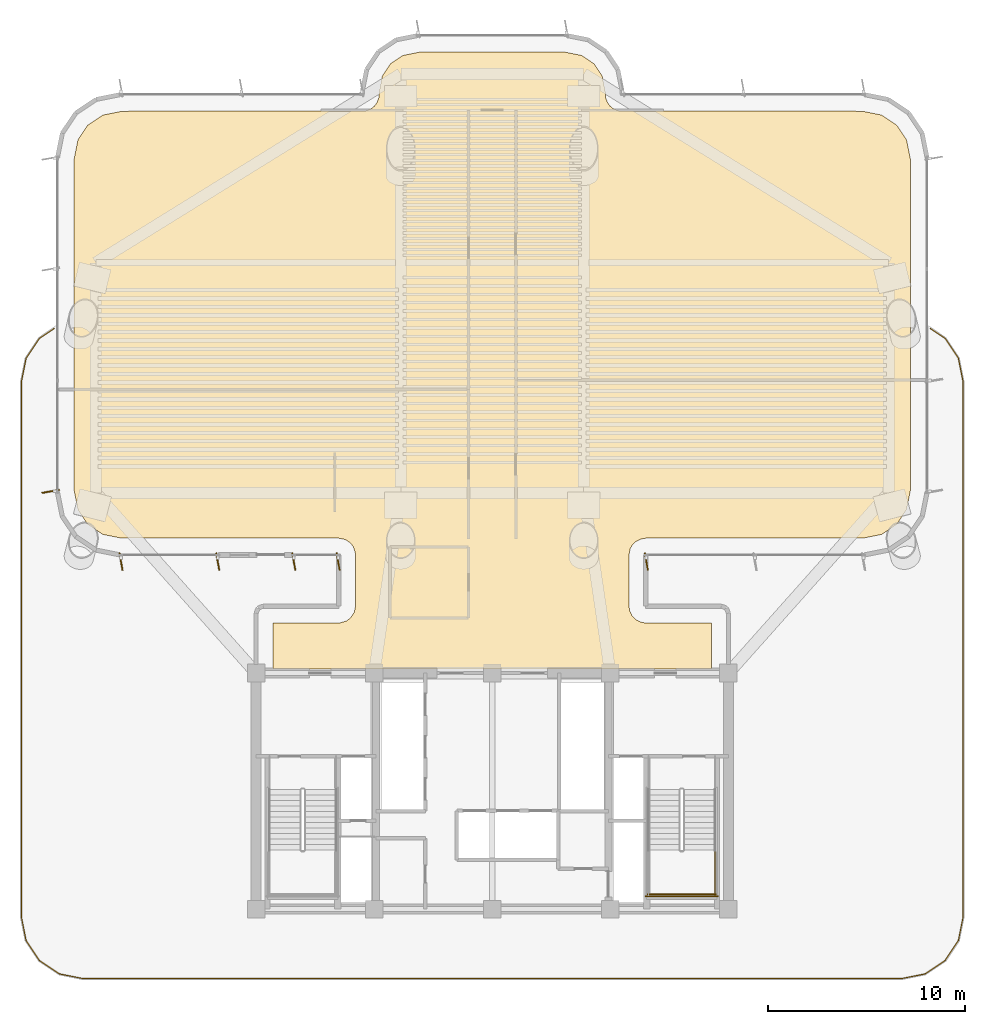
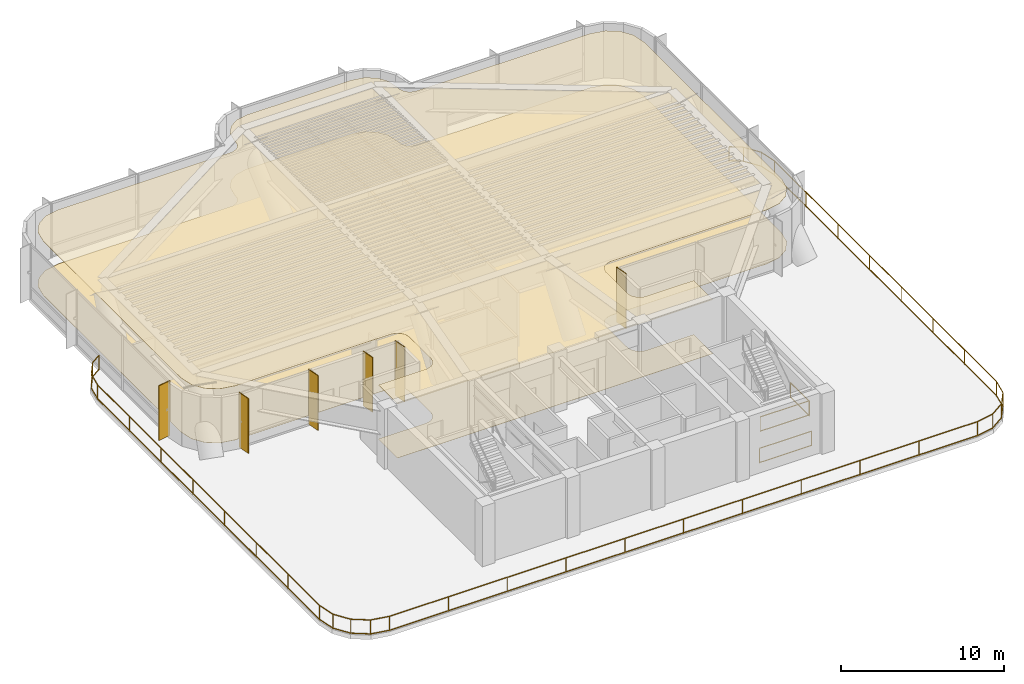
# One storey, part 12 of 14: 6 shading devices, 4 railings, 2 coverings.
"""IFC4 building model written with IfcOpenShell, lengths in metres."""

from ifc_helpers import new_model, si_unit, direction, frame, origin, origin_2d, place, context, subcontext, project, spatial, polyline, rectangle, outline, extrude, source, transform, mapped, material, layer, layer_set, material_profile, profile_set, type_object, element, save


model = new_model("IFC4")

# Units and contexts
model_context = context("Model", 3, precision=1e-05, world=origin(), true_north=direction((0.0, 1.0)))
body_context = subcontext(model_context, "Body", "Model", "MODEL_VIEW")
ifc_project = project(units=[si_unit("LENGTHUNIT", "METRE"), si_unit("AREAUNIT", "SQUARE_METRE"), si_unit("VOLUMEUNIT", "CUBIC_METRE"), si_unit("PLANEANGLEUNIT", "RADIAN"), si_unit("MASSUNIT", "GRAM", prefix="KILO")], contexts=[model_context])

# Site, building, storey
site_placement = place(None, origin())
site = spatial("IfcSite", under=ifc_project, at=site_placement, CompositionType="ELEMENT")
building_placement = place(site_placement, origin())
building = spatial("IfcBuilding", under=site, at=building_placement, Name="Brelvock Crest Care Tower", CompositionType="ELEMENT")
storey_placement = place(building_placement, frame((0.0, 0.0, 85.320068359375)))
storey = spatial("IfcBuildingStorey", under=building, at=storey_placement, Name="L21", CompositionType="ELEMENT", Elevation=85.320068359375)

# Coverings
ifc_material_1 = material(Name="Mineral Fibre Acoustic Ceiling Tile", Category="gypsum")
ifc_layer_1 = layer(ifc_material_1, 0.02490234375, Name="COV-CLG1")
ifc_layer_set_1 = layer_set([ifc_layer_1], Name="Mineral Fibre Acoustic Ceiling Tile")
covering_type_1 = type_object("IfcCoveringType", Name="COV-CLG1", PredefinedType="CEILING", material=ifc_layer_set_1)
covering_1_placement = place(storey_placement, frame((0.0, 0.0, 4.036865234375)))
element("IfcCovering", 1, at=covering_1_placement, inside=storey, type_object=covering_type_1, Name="L21 Acoustic Suspended Ceiling 1", PredefinedType="CEILING", context=body_context, shape_type="SweptSolid", body=[
    extrude(outline(polyline([(24.85009765625, 18.199951171875), (47.14990234375, 18.199951171875), (47.14990234375, 20.550048828125), (43.716796875, 20.55419921875), (43.55322265625, 20.586669921875), (43.327880859375, 20.693359375), (43.09326171875, 20.927734375), (42.986572265625, 21.1533203125), (42.949951171875, 21.39990234375), (42.949951171875, 24.0), (43.0146484375, 24.3251953125), (43.09326171875, 24.47216796875), (43.2607421875, 24.656982421875), (43.55322265625, 24.8134765625), (43.800048828125, 24.85009765625), (54.81640625, 24.85009765625), (55.79296875, 25.044189453125), (56.5498046875, 25.550048828125), (57.0556640625, 26.30712890625), (57.25, 27.28369140625), (57.25, 44.1162109375), (57.0556640625, 45.093017578125), (56.5498046875, 45.849853515625), (55.79296875, 46.355712890625), (54.81640625, 46.550048828125), (42.43408203125, 46.56640625), (42.127685546875, 46.693359375), (41.9990234375, 46.799072265625), (41.850341796875, 46.999267578125), (41.766357421875, 47.234130859375), (41.75, 47.516357421875), (41.586181640625, 48.33984375), (41.1669921875, 48.967041015625), (40.539794921875, 49.38623046875), (39.71630859375, 49.550048828125), (32.28369140625, 49.550048828125), (31.460205078125, 49.38623046875), (30.8330078125, 48.967041015625), (30.413818359375, 48.33984375), (30.25, 47.516357421875), (30.233642578125, 47.234130859375), (30.149658203125, 46.999267578125), (30.0009765625, 46.799072265625), (29.872314453125, 46.693359375), (29.56591796875, 46.56640625), (17.18359375, 46.550048828125), (16.20703125, 46.355712890625), (15.4501953125, 45.849853515625), (14.9443359375, 45.093017578125), (14.75, 44.1162109375), (14.75, 27.28369140625), (14.9443359375, 26.30712890625), (15.4501953125, 25.550048828125), (16.20703125, 25.044189453125), (17.18359375, 24.85009765625), (28.199951171875, 24.85009765625), (28.525390625, 24.785400390625), (28.801025390625, 24.60107421875), (28.94970703125, 24.400634765625), (29.0458984375, 24.083251953125), (29.050048828125, 21.39990234375), (28.9853515625, 21.07470703125), (28.801025390625, 20.799072265625), (28.6005859375, 20.650390625), (28.283203125, 20.55419921875), (24.85009765625, 20.550048828125), (24.85009765625, 18.199951171875)])), origin(), (0.0, 0.0, 1.0), 0.025146484375),
])
ifc_material_2 = material(Name="Slip-Resistant Acoustic Vinyl Flooring", Category="finish")
ifc_layer_2 = layer(ifc_material_2, 0.014892578125, Name="COV-FLR1")
ifc_layer_set_2 = layer_set([ifc_layer_2], Name="Slip-Resistant Acoustic Vinyl Flooring")
covering_type_2 = type_object("IfcCoveringType", Name="COV-FLR1", PredefinedType="FLOORING", material=ifc_layer_set_2)
covering_2_placement = place(storey_placement, origin())
element("IfcCovering", 2, at=covering_2_placement, inside=storey, type_object=covering_type_2, Name="L21 Slip-Resistant Acoustic Flooring 1", PredefinedType="FLOORING", context=body_context, shape_type="SweptSolid", body=[
    extrude(outline(polyline([(24.85009765625, 18.199951171875), (47.14990234375, 18.199951171875), (47.14990234375, 20.550048828125), (43.716796875, 20.55419921875), (43.55322265625, 20.586669921875), (43.327880859375, 20.693359375), (43.09326171875, 20.927734375), (42.986572265625, 21.1533203125), (42.949951171875, 21.39990234375), (42.949951171875, 24.0), (43.0146484375, 24.3251953125), (43.09326171875, 24.47216796875), (43.2607421875, 24.656982421875), (43.55322265625, 24.8134765625), (43.800048828125, 24.85009765625), (54.81640625, 24.85009765625), (55.79296875, 25.044189453125), (56.5498046875, 25.550048828125), (57.0556640625, 26.30712890625), (57.25, 27.28369140625), (57.25, 44.1162109375), (57.0556640625, 45.093017578125), (56.5498046875, 45.849853515625), (55.79296875, 46.355712890625), (54.81640625, 46.550048828125), (42.43408203125, 46.56640625), (42.127685546875, 46.693359375), (41.9990234375, 46.799072265625), (41.850341796875, 46.999267578125), (41.766357421875, 47.234130859375), (41.75, 47.516357421875), (41.586181640625, 48.33984375), (41.1669921875, 48.967041015625), (40.539794921875, 49.38623046875), (39.71630859375, 49.550048828125), (32.28369140625, 49.550048828125), (31.460205078125, 49.38623046875), (30.8330078125, 48.967041015625), (30.413818359375, 48.33984375), (30.25, 47.516357421875), (30.233642578125, 47.234130859375), (30.149658203125, 46.999267578125), (30.0009765625, 46.799072265625), (29.872314453125, 46.693359375), (29.56591796875, 46.56640625), (17.18359375, 46.550048828125), (16.20703125, 46.355712890625), (15.4501953125, 45.849853515625), (14.9443359375, 45.093017578125), (14.75, 44.1162109375), (14.75, 27.28369140625), (14.9443359375, 26.30712890625), (15.4501953125, 25.550048828125), (16.20703125, 25.044189453125), (17.18359375, 24.85009765625), (28.199951171875, 24.85009765625), (28.525390625, 24.785400390625), (28.801025390625, 24.60107421875), (28.94970703125, 24.400634765625), (29.0458984375, 24.083251953125), (29.050048828125, 21.39990234375), (28.9853515625, 21.07470703125), (28.801025390625, 20.799072265625), (28.6005859375, 20.650390625), (28.283203125, 20.55419921875), (24.85009765625, 20.550048828125), (24.85009765625, 18.199951171875)])), origin(), (0.0, 0.0, 1.0), 0.014892578125),
])

# Railings
ifc_material_3 = material(Name="Dark Glass Double Glazed Low-E", Category="glass")
ifc_layer_3 = layer(ifc_material_3, 0.06005859375, Name="RL-BAL1")
ifc_layer_set_3 = layer_set([ifc_layer_3], Name="Dark Glass Double Glazed Low-E")
railing_type_1 = type_object("IfcRailingType", Name="RL-BAL1", PredefinedType="BALUSTRADE", material=ifc_layer_set_3)
railing_1_placement = place(storey_placement, frame((58.280029296875, 35.50146484375, 0.00390625)))
element("IfcRailing", 3, at=railing_1_placement, inside=storey, type_object=railing_type_1, Name="L21 Safety Balustrade SLB-TERR-L21-1-1", PredefinedType="BALUSTRADE", context=body_context, shape_type="SweptSolid", body=[
    extrude(rectangle(XDim=0.048095703125, YDim=0.048095703125, at=origin_2d()), frame((0.001708984375, -0.001220703125, 1.09619140625), z_axis=(0.831452672792, -0.555595583953, 0.0), x_axis=(0.555595583953, 0.831452672792, 0.0)), (0.0, 0.0, 1.0), 0.876708984375),
    extrude(rectangle(XDim=0.048095703125, YDim=0.048095703125, at=origin_2d()), frame((0.001708984375, -0.001220703125, 0.054931640625), z_axis=(0.831452672792, -0.555595583953, 0.0), x_axis=(0.555595583953, 0.831452672792, 0.0)), (0.0, 0.0, 1.0), 0.876708984375),
    extrude(rectangle(XDim=0.048095703125, YDim=0.048095703125, at=origin_2d()), frame((0.7333984375, -0.490966796875, 1.09619140625), z_axis=(0.555622969928, -0.831434372207, 0.0), x_axis=(0.831434372207, 0.555622969928, 0.0)), (0.0, 0.0, 1.0), 1.216552734375),
    extrude(rectangle(XDim=0.048095703125, YDim=0.048095703125, at=origin_2d()), frame((0.7333984375, -0.490966796875, 0.054931640625), z_axis=(0.555622969928, -0.831434372207, 0.0), x_axis=(0.831434372207, 0.555622969928, 0.0)), (0.0, 0.0, 1.0), 1.216552734375),
    extrude(rectangle(XDim=0.048095703125, YDim=0.048095703125, at=origin_2d()), frame((1.410888671875, -1.506103515625, 1.09619140625), z_axis=(0.195083474499, -0.980786642434, 0.0), x_axis=(0.980786642434, 0.195083474499, 0.0)), (0.0, 0.0, 1.0), 1.2236328125),
    extrude(rectangle(XDim=0.048095703125, YDim=0.048095703125, at=origin_2d()), frame((1.410888671875, -1.506103515625, 0.054931640625), z_axis=(0.195083474499, -0.980786642434, 0.0), x_axis=(0.980786642434, 0.195083474499, 0.0)), (0.0, 0.0, 1.0), 1.2236328125),
    extrude(rectangle(XDim=0.048095703125, YDim=0.048095703125, at=origin_2d()), frame((1.64990234375, -2.710205078125, 1.09619140625), z_axis=(0.0, -1.0, 0.0), x_axis=(1.0, 0.0, 0.0)), (0.0, 0.0, 1.0), 27.182373046875),
    extrude(rectangle(XDim=0.048095703125, YDim=0.048095703125, at=origin_2d()), frame((1.64990234375, -2.710205078125, 0.054931640625), z_axis=(0.0, -1.0, 0.0), x_axis=(1.0, 0.0, 0.0)), (0.0, 0.0, 1.0), 27.182373046875),
    extrude(rectangle(XDim=0.048095703125, YDim=0.048095703125, at=origin_2d()), frame((1.6494140625, -29.896484375, 1.09619140625), z_axis=(-0.195045432487, -0.980794208418, 0.0), x_axis=(0.980794208418, -0.195045432487, 0.0)), (0.0, 0.0, 1.0), 1.223876953125),
    extrude(rectangle(XDim=0.048095703125, YDim=0.048095703125, at=origin_2d()), frame((1.6494140625, -29.896484375, 0.054931640625), z_axis=(-0.195045432487, -0.980794208418, 0.0), x_axis=(0.980794208418, -0.195045432487, 0.0)), (0.0, 0.0, 1.0), 1.223876953125),
    extrude(rectangle(XDim=0.048095703125, YDim=0.048095703125, at=origin_2d()), frame((1.4091796875, -31.1005859375, 1.09619140625), z_axis=(-0.555622969928, -0.831434372207, 0.0), x_axis=(0.831434372207, -0.555622969928, 0.0)), (0.0, 0.0, 1.0), 1.216552734375),
    extrude(rectangle(XDim=0.048095703125, YDim=0.048095703125, at=origin_2d()), frame((1.4091796875, -31.1005859375, 0.054931640625), z_axis=(-0.555622969928, -0.831434372207, 0.0), x_axis=(0.831434372207, -0.555622969928, 0.0)), (0.0, 0.0, 1.0), 1.216552734375),
    extrude(rectangle(XDim=0.048095703125, YDim=0.048095703125, at=origin_2d()), frame((0.73046875, -32.114990234375, 1.09619140625), z_axis=(-0.831434372207, -0.555622969928, 0.0), x_axis=(0.555622969928, -0.831434372207, 0.0)), (0.0, 0.0, 1.0), 1.216552734375),
    extrude(rectangle(XDim=0.048095703125, YDim=0.048095703125, at=origin_2d()), frame((0.73046875, -32.114990234375, 0.054931640625), z_axis=(-0.831434372207, -0.555622969928, 0.0), x_axis=(0.555622969928, -0.831434372207, 0.0)), (0.0, 0.0, 1.0), 1.216552734375),
    extrude(rectangle(XDim=0.048095703125, YDim=0.048095703125, at=origin_2d()), frame((-0.28466796875, -32.79248046875, 1.09619140625), z_axis=(-0.980786642434, -0.195083474499, 0.0), x_axis=(0.195083474499, -0.980786642434, 0.0)), (0.0, 0.0, 1.0), 1.2236328125),
    extrude(rectangle(XDim=0.048095703125, YDim=0.048095703125, at=origin_2d()), frame((-0.28466796875, -32.79248046875, 0.054931640625), z_axis=(-0.980786642434, -0.195083474499, 0.0), x_axis=(0.195083474499, -0.980786642434, 0.0)), (0.0, 0.0, 1.0), 1.2236328125),
    extrude(rectangle(XDim=0.048095703125, YDim=0.048095703125, at=origin_2d()), frame((-1.48876953125, -33.031494140625, 1.09619140625), z_axis=(-1.0, 0.0, 0.0), x_axis=(0.0, -1.0, 0.0)), (0.0, 0.0, 1.0), 41.58251953125),
    extrude(rectangle(XDim=0.048095703125, YDim=0.048095703125, at=origin_2d()), frame((-1.48876953125, -33.031494140625, 0.054931640625), z_axis=(-1.0, 0.0, 0.0), x_axis=(0.0, -1.0, 0.0)), (0.0, 0.0, 1.0), 41.58251953125),
    extrude(rectangle(XDim=0.048095703125, YDim=0.048095703125, at=origin_2d()), frame((-43.0751953125, -33.031005859375, 1.09619140625), z_axis=(-0.980786642434, 0.195083474499, 0.0), x_axis=(-0.195083474499, -0.980786642434, 0.0)), (0.0, 0.0, 1.0), 1.2236328125),
    extrude(rectangle(XDim=0.048095703125, YDim=0.048095703125, at=origin_2d()), frame((-43.0751953125, -33.031005859375, 0.054931640625), z_axis=(-0.980786642434, 0.195083474499, 0.0), x_axis=(-0.195083474499, -0.980786642434, 0.0)), (0.0, 0.0, 1.0), 1.2236328125),
    extrude(rectangle(XDim=0.048095703125, YDim=0.048095703125, at=origin_2d()), frame((-44.279052734375, -32.790771484375, 1.09619140625), z_axis=(-0.831434372207, 0.555622969928, 0.0), x_axis=(-0.555622969928, -0.831434372207, 0.0)), (0.0, 0.0, 1.0), 1.216552734375),
    extrude(rectangle(XDim=0.048095703125, YDim=0.048095703125, at=origin_2d()), frame((-44.279052734375, -32.790771484375, 0.054931640625), z_axis=(-0.831434372207, 0.555622969928, 0.0), x_axis=(-0.555622969928, -0.831434372207, 0.0)), (0.0, 0.0, 1.0), 1.216552734375),
    extrude(rectangle(XDim=0.048095703125, YDim=0.048095703125, at=origin_2d()), frame((-45.29345703125, -32.112060546875, 1.09619140625), z_axis=(-0.555622969928, 0.831434372207, 0.0), x_axis=(-0.831434372207, -0.555622969928, 0.0)), (0.0, 0.0, 1.0), 1.216552734375),
    extrude(rectangle(XDim=0.048095703125, YDim=0.048095703125, at=origin_2d()), frame((-45.29345703125, -32.112060546875, 0.054931640625), z_axis=(-0.555622969928, 0.831434372207, 0.0), x_axis=(-0.831434372207, -0.555622969928, 0.0)), (0.0, 0.0, 1.0), 1.216552734375),
    extrude(rectangle(XDim=0.048095703125, YDim=0.048095703125, at=origin_2d()), frame((-45.970947265625, -31.096923828125, 1.09619140625), z_axis=(-0.195045432487, 0.980794208418, 0.0), x_axis=(-0.980794208418, -0.195045432487, 0.0)), (0.0, 0.0, 1.0), 1.223876953125),
    extrude(rectangle(XDim=0.048095703125, YDim=0.048095703125, at=origin_2d()), frame((-45.970947265625, -31.096923828125, 0.054931640625), z_axis=(-0.195045432487, 0.980794208418, 0.0), x_axis=(-0.980794208418, -0.195045432487, 0.0)), (0.0, 0.0, 1.0), 1.223876953125),
    extrude(rectangle(XDim=0.048095703125, YDim=0.048095703125, at=origin_2d()), frame((-46.2099609375, -29.892578125, 1.09619140625), z_axis=(0.0, 1.0, 0.0), x_axis=(-1.0, 0.0, 0.0)), (0.0, 0.0, 1.0), 27.182373046875),
    extrude(rectangle(XDim=0.048095703125, YDim=0.048095703125, at=origin_2d()), frame((-46.2099609375, -29.892578125, 0.054931640625), z_axis=(0.0, 1.0, 0.0), x_axis=(-1.0, 0.0, 0.0)), (0.0, 0.0, 1.0), 27.182373046875),
    extrude(rectangle(XDim=0.048095703125, YDim=0.048095703125, at=origin_2d()), frame((-46.20947265625, -2.706298828125, 1.09619140625), z_axis=(0.195083474499, 0.980786642434, 0.0), x_axis=(-0.980786642434, 0.195083474499, 0.0)), (0.0, 0.0, 1.0), 1.2236328125),
    extrude(rectangle(XDim=0.048095703125, YDim=0.048095703125, at=origin_2d()), frame((-46.20947265625, -2.706298828125, 0.054931640625), z_axis=(0.195083474499, 0.980786642434, 0.0), x_axis=(-0.980786642434, 0.195083474499, 0.0)), (0.0, 0.0, 1.0), 1.2236328125),
    extrude(rectangle(XDim=0.048095703125, YDim=0.048095703125, at=origin_2d()), frame((-45.96923828125, -1.50244140625, 1.09619140625), z_axis=(0.555622969928, 0.831434372207, 0.0), x_axis=(-0.831434372207, 0.555622969928, 0.0)), (0.0, 0.0, 1.0), 1.216552734375),
    extrude(rectangle(XDim=0.048095703125, YDim=0.048095703125, at=origin_2d()), frame((-45.96923828125, -1.50244140625, 0.054931640625), z_axis=(0.555622969928, 0.831434372207, 0.0), x_axis=(-0.831434372207, 0.555622969928, 0.0)), (0.0, 0.0, 1.0), 1.216552734375),
    extrude(rectangle(XDim=0.048095703125, YDim=0.048095703125, at=origin_2d()), frame((-45.29052734375, -0.488037109375, 1.09619140625), z_axis=(0.831452672792, 0.555595583953, 0.0), x_axis=(-0.555595583953, 0.831452672792, 0.0)), (0.0, 0.0, 1.0), 0.876708984375),
    extrude(rectangle(XDim=0.048095703125, YDim=0.048095703125, at=origin_2d()), frame((-45.29052734375, -0.488037109375, 0.054931640625), z_axis=(0.831452672792, 0.555595583953, 0.0), x_axis=(-0.555595583953, 0.831452672792, 0.0)), (0.0, 0.0, 1.0), 0.876708984375),
    extrude(rectangle(XDim=0.0419921875, YDim=0.0419921875, at=origin_2d()), origin(), (0.0, 0.0, 1.0), 1.070068359375),
    extrude(rectangle(XDim=0.0419921875, YDim=0.0419921875, at=origin_2d()), frame((0.732177734375, -0.4892578125, 0.0)), (0.0, 0.0, 1.0), 1.070068359375),
    extrude(rectangle(XDim=0.0419921875, YDim=0.0419921875, at=origin_2d()), frame((1.410400390625, -1.504150390625, 0.0)), (0.0, 0.0, 1.0), 1.070068359375),
    extrude(rectangle(XDim=0.0419921875, YDim=0.0419921875, at=origin_2d()), frame((1.64990234375, -2.708251953125, 0.0)), (0.0, 0.0, 1.0), 1.070068359375),
    extrude(rectangle(XDim=0.0419921875, YDim=0.0419921875, at=origin_2d()), frame((1.64990234375, -6.592041015625, 0.0)), (0.0, 0.0, 1.0), 1.070068359375),
    extrude(rectangle(XDim=0.0419921875, YDim=0.0419921875, at=origin_2d()), frame((1.64990234375, -10.475830078125, 0.0)), (0.0, 0.0, 1.0), 1.070068359375),
    extrude(rectangle(XDim=0.0419921875, YDim=0.0419921875, at=origin_2d()), frame((1.64990234375, -14.359619140625, 0.0)), (0.0, 0.0, 1.0), 1.070068359375),
    extrude(rectangle(XDim=0.0419921875, YDim=0.0419921875, at=origin_2d()), frame((1.64990234375, -18.2431640625, 0.0)), (0.0, 0.0, 1.0), 1.070068359375),
    extrude(rectangle(XDim=0.0419921875, YDim=0.0419921875, at=origin_2d()), frame((1.64990234375, -22.126953125, 0.0)), (0.0, 0.0, 1.0), 1.070068359375),
    extrude(rectangle(XDim=0.0419921875, YDim=0.0419921875, at=origin_2d()), frame((1.64990234375, -26.0107421875, 0.0)), (0.0, 0.0, 1.0), 1.070068359375),
    extrude(rectangle(XDim=0.0419921875, YDim=0.0419921875, at=origin_2d()), frame((1.64990234375, -29.89453125, 0.0)), (0.0, 0.0, 1.0), 1.070068359375),
    extrude(rectangle(XDim=0.0419921875, YDim=0.0419921875, at=origin_2d()), frame((1.410400390625, -31.098876953125, 0.0)), (0.0, 0.0, 1.0), 1.070068359375),
    extrude(rectangle(XDim=0.0419921875, YDim=0.0419921875, at=origin_2d()), frame((0.732177734375, -32.11376953125, 0.0)), (0.0, 0.0, 1.0), 1.070068359375),
    extrude(rectangle(XDim=0.0419921875, YDim=0.0419921875, at=origin_2d()), frame((-0.28271484375, -32.7919921875, 0.0)), (0.0, 0.0, 1.0), 1.070068359375),
    extrude(rectangle(XDim=0.0419921875, YDim=0.0419921875, at=origin_2d()), frame((-1.48681640625, -33.031494140625, 0.0)), (0.0, 0.0, 1.0), 1.070068359375),
    extrude(rectangle(XDim=0.0419921875, YDim=0.0419921875, at=origin_2d()), frame((-5.6455078125, -33.031494140625, 0.0)), (0.0, 0.0, 1.0), 1.070068359375),
    extrude(rectangle(XDim=0.0419921875, YDim=0.0419921875, at=origin_2d()), frame((-9.80419921875, -33.031494140625, 0.0)), (0.0, 0.0, 1.0), 1.070068359375),
    extrude(rectangle(XDim=0.0419921875, YDim=0.0419921875, at=origin_2d()), frame((-13.962646484375, -33.031494140625, 0.0)), (0.0, 0.0, 1.0), 1.070068359375),
    extrude(rectangle(XDim=0.0419921875, YDim=0.0419921875, at=origin_2d()), frame((-18.121337890625, -33.031494140625, 0.0)), (0.0, 0.0, 1.0), 1.070068359375),
    extrude(rectangle(XDim=0.0419921875, YDim=0.0419921875, at=origin_2d()), frame((-22.280029296875, -33.031494140625, 0.0)), (0.0, 0.0, 1.0), 1.070068359375),
    extrude(rectangle(XDim=0.0419921875, YDim=0.0419921875, at=origin_2d()), frame((-26.438720703125, -33.031494140625, 0.0)), (0.0, 0.0, 1.0), 1.070068359375),
    extrude(rectangle(XDim=0.0419921875, YDim=0.0419921875, at=origin_2d()), frame((-30.597412109375, -33.031494140625, 0.0)), (0.0, 0.0, 1.0), 1.070068359375),
    extrude(rectangle(XDim=0.0419921875, YDim=0.0419921875, at=origin_2d()), frame((-34.755859375, -33.031494140625, 0.0)), (0.0, 0.0, 1.0), 1.070068359375),
    extrude(rectangle(XDim=0.0419921875, YDim=0.0419921875, at=origin_2d()), frame((-38.91455078125, -33.031494140625, 0.0)), (0.0, 0.0, 1.0), 1.070068359375),
    extrude(rectangle(XDim=0.0419921875, YDim=0.0419921875, at=origin_2d()), frame((-43.0732421875, -33.031494140625, 0.0)), (0.0, 0.0, 1.0), 1.070068359375),
    extrude(rectangle(XDim=0.0419921875, YDim=0.0419921875, at=origin_2d()), frame((-44.27734375, -32.7919921875, 0.0)), (0.0, 0.0, 1.0), 1.070068359375),
    extrude(rectangle(XDim=0.0419921875, YDim=0.0419921875, at=origin_2d()), frame((-45.292236328125, -32.11376953125, 0.0)), (0.0, 0.0, 1.0), 1.070068359375),
    extrude(rectangle(XDim=0.0419921875, YDim=0.0419921875, at=origin_2d()), frame((-45.970458984375, -31.098876953125, 0.0)), (0.0, 0.0, 1.0), 1.070068359375),
    extrude(rectangle(XDim=0.0419921875, YDim=0.0419921875, at=origin_2d()), frame((-46.2099609375, -29.89453125, 0.0)), (0.0, 0.0, 1.0), 1.070068359375),
    extrude(rectangle(XDim=0.0419921875, YDim=0.0419921875, at=origin_2d()), frame((-46.2099609375, -26.0107421875, 0.0)), (0.0, 0.0, 1.0), 1.070068359375),
    extrude(rectangle(XDim=0.0419921875, YDim=0.0419921875, at=origin_2d()), frame((-46.2099609375, -22.126953125, 0.0)), (0.0, 0.0, 1.0), 1.070068359375),
    extrude(rectangle(XDim=0.0419921875, YDim=0.0419921875, at=origin_2d()), frame((-46.2099609375, -18.2431640625, 0.0)), (0.0, 0.0, 1.0), 1.070068359375),
    extrude(rectangle(XDim=0.0419921875, YDim=0.0419921875, at=origin_2d()), frame((-46.2099609375, -14.359619140625, 0.0)), (0.0, 0.0, 1.0), 1.070068359375),
    extrude(rectangle(XDim=0.0419921875, YDim=0.0419921875, at=origin_2d()), frame((-46.2099609375, -10.475830078125, 0.0)), (0.0, 0.0, 1.0), 1.070068359375),
    extrude(rectangle(XDim=0.0419921875, YDim=0.0419921875, at=origin_2d()), frame((-46.2099609375, -6.592041015625, 0.0)), (0.0, 0.0, 1.0), 1.070068359375),
    extrude(rectangle(XDim=0.0419921875, YDim=0.0419921875, at=origin_2d()), frame((-46.2099609375, -2.708251953125, 0.0)), (0.0, 0.0, 1.0), 1.070068359375),
    extrude(rectangle(XDim=0.0419921875, YDim=0.0419921875, at=origin_2d()), frame((-45.970458984375, -1.504150390625, 0.0)), (0.0, 0.0, 1.0), 1.070068359375),
    extrude(rectangle(XDim=0.0419921875, YDim=0.0419921875, at=origin_2d()), frame((-45.292236328125, -0.4892578125, 0.0)), (0.0, 0.0, 1.0), 1.070068359375),
    extrude(rectangle(XDim=0.0419921875, YDim=0.0419921875, at=origin_2d()), frame((-44.56005859375, 0.0, 0.0)), (0.0, 0.0, 1.0), 1.070068359375),
])
ifc_material_4 = material(Name="Steel Grade 350", Category="steel")
ifc_layer_4 = layer(ifc_material_4, 0.050048828125, Name="RL-STG1")
ifc_layer_set_4 = layer_set([ifc_layer_4], Name="Steel Grade 350")
railing_type_2 = type_object("IfcRailingType", Name="RL-STG1", PredefinedType="GUARDRAIL", material=ifc_layer_set_4)
railing_2_placement = place(storey_placement, frame((47.320068359375, 9.0, 2.25)))
element("IfcRailing", 4, at=railing_2_placement, inside=storey, type_object=railing_type_2, Name="L21 ST-2 stair guard 4", PredefinedType="GUARDRAIL", context=body_context, shape_type="SweptSolid", body=[
    extrude(rectangle(XDim=0.048095703125, YDim=0.048095703125, at=origin_2d()), frame((0.0, -0.001953125, 1.11572265625), z_axis=(0.0, -1.0, 0.0), x_axis=(1.0, 0.0, 0.0)), (0.0, 0.0, 1.0), 2.296142578125),
    extrude(rectangle(XDim=0.048095703125, YDim=0.048095703125, at=origin_2d()), frame((0.0, -0.001953125, 0.054931640625), z_axis=(0.0, -1.0, 0.0), x_axis=(1.0, 0.0, 0.0)), (0.0, 0.0, 1.0), 2.296142578125),
    extrude(rectangle(XDim=0.0419921875, YDim=0.0419921875, at=origin_2d()), origin(), (0.0, 0.0, 1.0), 1.08984375),
    extrude(rectangle(XDim=0.0419921875, YDim=0.0419921875, at=origin_2d()), frame((0.0, -2.300048828125, 0.0)), (0.0, 0.0, 1.0), 1.08984375),
])
railing_3_placement = place(storey_placement, frame((43.889892578125, 6.75, 2.25)))
element("IfcRailing", 5, at=railing_3_placement, inside=storey, type_object=railing_type_2, Name="L21 ST-2 stair guard 5", PredefinedType="GUARDRAIL", context=body_context, shape_type="SweptSolid", body=[
    extrude(rectangle(XDim=0.048095703125, YDim=0.048095703125, at=origin_2d()), frame((0.001953125, 0.0, 1.11572265625), z_axis=(1.0, 0.0, 0.0), x_axis=(0.0, 1.0, 0.0)), (0.0, 0.0, 1.0), 3.476318359375),
    extrude(rectangle(XDim=0.048095703125, YDim=0.048095703125, at=origin_2d()), frame((0.001953125, 0.0, 0.054931640625), z_axis=(1.0, 0.0, 0.0), x_axis=(0.0, 1.0, 0.0)), (0.0, 0.0, 1.0), 3.476318359375),
    extrude(rectangle(XDim=0.0419921875, YDim=0.0419921875, at=origin_2d()), origin(), (0.0, 0.0, 1.0), 1.08984375),
    extrude(rectangle(XDim=0.0419921875, YDim=0.0419921875, at=origin_2d()), frame((3.480224609375, 0.0, 0.0)), (0.0, 0.0, 1.0), 1.08984375),
])
railing_4_placement = place(storey_placement, frame((43.7900390625, 6.64990234375, 0.0)))
element("IfcRailing", 6, at=railing_4_placement, inside=storey, type_object=railing_type_2, Name="L21 ST-2 stair guard 12", PredefinedType="GUARDRAIL", context=body_context, shape_type="SweptSolid", body=[
    extrude(rectangle(XDim=0.048095703125, YDim=0.048095703125, at=origin_2d()), frame((0.001953125, 0.0, 1.11572265625), z_axis=(1.0, 0.0, 0.0), x_axis=(0.0, 1.0, 0.0)), (0.0, 0.0, 1.0), 3.676025390625),
    extrude(rectangle(XDim=0.048095703125, YDim=0.048095703125, at=origin_2d()), frame((0.001953125, 0.0, 0.054931640625), z_axis=(1.0, 0.0, 0.0), x_axis=(0.0, 1.0, 0.0)), (0.0, 0.0, 1.0), 3.676025390625),
    extrude(rectangle(XDim=0.0419921875, YDim=0.0419921875, at=origin_2d()), origin(), (0.0, 0.0, 1.0), 1.08984375),
    extrude(rectangle(XDim=0.0419921875, YDim=0.0419921875, at=origin_2d()), frame((3.679931640625, 0.0, 0.0)), (0.0, 0.0, 1.0), 1.08984375),
])

# Shading devices
ifc_material_5 = material(Name="Aluminium 6063-T6", Category="aluminium")
ifc_material_profile = material_profile(ifc_material_5, rectangle(XDim=0.054931640625, YDim=0.89990234375, at=origin_2d()), Name="FIN55x900")
ifc_profile_set = profile_set([ifc_material_profile], Name="Aluminium 6063-T6")
shading_device_type = type_object("IfcShadingDeviceType", Name="SHD-FIN1", PredefinedType="USERDEFINED", material=ifc_profile_set)
shared_shape = source(origin(), body_context, "Body", "SweptSolid", [
    extrude(rectangle(XDim=0.054931640625, YDim=0.89990234375, at=origin_2d()), origin(), (0.0, 0.0, 1.0), 4.092041015625),
])
for number, where, z_axis, x_axis, name in (
    (7, (28.16748046875, 23.659912109375, 0.0), (0.0, 0.0, 1.0), (-0.984807753012, -0.173648177667, 0.0), "L21 Vertical Sunshade Fin E12A-01"),
    (8, (25.91455078125, 23.659912109375, 0.0), (0.0, 0.0, 1.0), (-0.984807753012, -0.173648177667, 0.0), "L21 Vertical Sunshade Fin E12A-02"),
    (9, (22.049560546875, 23.659912109375, 0.0), (0.0, 0.0, 1.0), (-0.984807753012, -0.173648177667, 0.0), "L21 Vertical Sunshade Fin E12B-01"),
    (10, (17.132568359375, 23.659912109375, 0.0), (0.0, 0.0, 1.0), (-0.984807753012, -0.173648177667, 0.0), "L21 Vertical Sunshade Fin E12B-02"),
    (11, (13.56005859375, 27.232421875, 0.0), (0.0, 0.0, 1.0), (-0.173648177667, 0.984807753012, 0.0), "L21 Vertical Sunshade Fin E17-01"),
    (12, (43.83251953125, 23.659912109375, 0.0), (0.0, 0.0, 1.0), (-0.984807753012, -0.173648177667, 0.0), "L21 Vertical Sunshade Fin E44-03"),
):
    element("IfcShadingDevice", number, at=place(storey_placement, frame(where, z_axis=z_axis, x_axis=x_axis)), inside=storey, type_object=shading_device_type, Name=name, ObjectType="FIN", PredefinedType="USERDEFINED", context=body_context, shape_type="MappedRepresentation", body=[
        mapped(shared_shape, transform((0.0, 0.0, 0.0), x_axis=(1.0, 0.0, 0.0), y_axis=(0.0, 1.0, 0.0), z_axis=(0.0, 0.0, 1.0), scale=1.0)),
    ])

save(model, "model.ifc")
